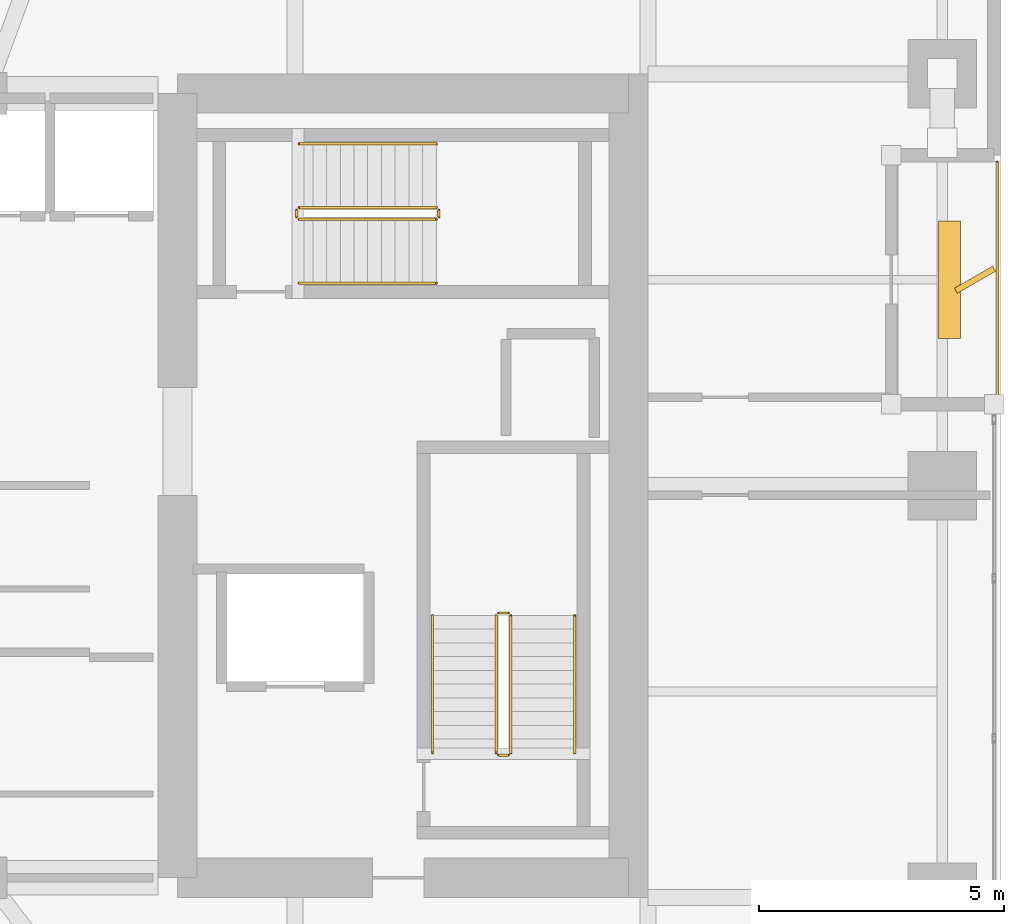
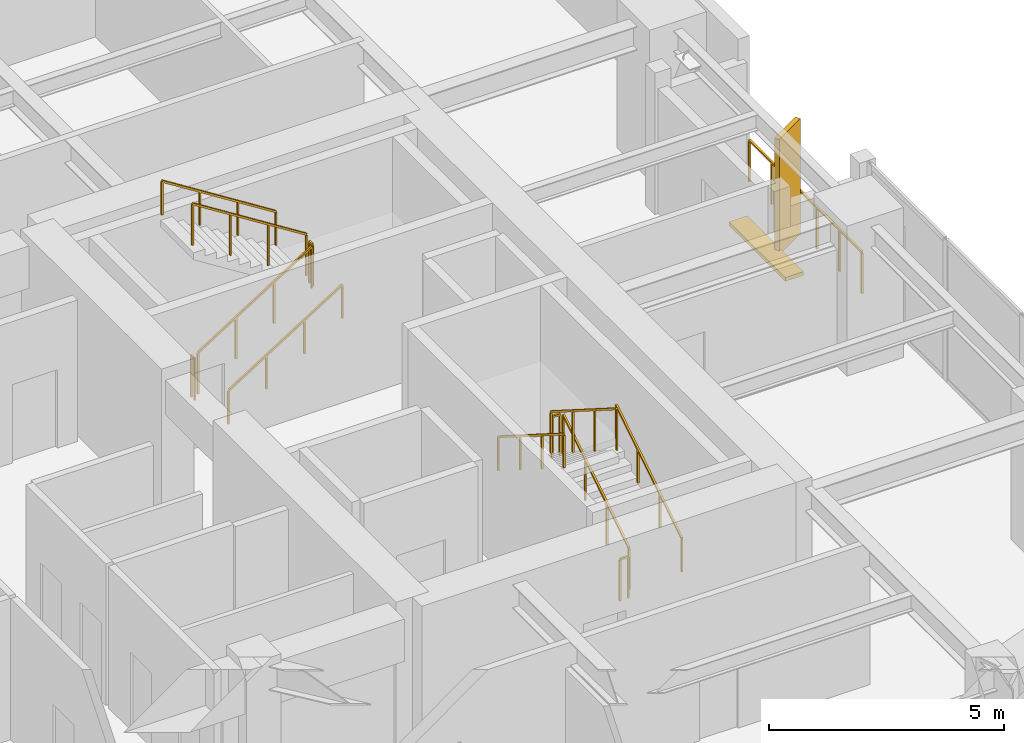
# One storey, part 30 of 31: 13 railings, 2 shading devices.
"""IFC4 building model written with IfcOpenShell, lengths in metres."""

from ifc_helpers import new_model, si_unit, direction, frame, origin, origin_2d, place, context, subcontext, project, spatial, rectangle, extrude, material, type_object, element, save


model = new_model("IFC4")

# Units and contexts
model_context = context("Model", 3, precision=1e-05, world=origin(), true_north=direction((0.0, 1.0)))
body_context = subcontext(model_context, "Body", "Model", "MODEL_VIEW")
ifc_project = project(units=[si_unit("LENGTHUNIT", "METRE"), si_unit("AREAUNIT", "SQUARE_METRE"), si_unit("VOLUMEUNIT", "CUBIC_METRE"), si_unit("PLANEANGLEUNIT", "RADIAN"), si_unit("MASSUNIT", "GRAM", prefix="KILO")], contexts=[model_context])

# Site, building, storey
site_placement = place(None, origin())
site = spatial("IfcSite", under=ifc_project, at=site_placement, CompositionType="ELEMENT")
building_placement = place(site_placement, origin())
building = spatial("IfcBuilding", under=site, at=building_placement, Name="Kiyonajd Concourse Tower", CompositionType="ELEMENT")
storey_placement = place(building_placement, frame((0.0, 0.0, 158.39990234375)))
storey = spatial("IfcBuildingStorey", under=building, at=storey_placement, Name="L40", CompositionType="ELEMENT", Elevation=158.39990234375)

# Railings
ifc_material_1 = material(Name="Thermally Broken Anodised Aluminium", Category="aluminium")
railing_type_1 = type_object("IfcRailingType", Name="RL-GRD-LOG", PredefinedType="GUARDRAIL", material=ifc_material_1)
railing_1_placement = place(storey_placement, frame((70.719970703125, 37.800048828125, 0.0)))
element("IfcRailing", 1, at=railing_1_placement, inside=storey, type_object=railing_type_1, Name="L40 Engawa Loggia Perimeter Guard LOG-E", PredefinedType="GUARDRAIL", context=body_context, shape_type="SweptSolid", body=[
    extrude(rectangle(XDim=0.048095703125, YDim=0.048095703125, at=origin_2d()), frame((0.0, 0.0, 1.076171875), z_axis=(0.0, 1.0, 0.0), x_axis=(-1.0, 0.0, 0.0)), (0.0, 0.0, 1.0), 4.800048828125),
    extrude(rectangle(XDim=0.0419921875, YDim=0.0419921875, at=origin_2d()), origin(), (0.0, 0.0, 1.0), 1.052001953125),
    extrude(rectangle(XDim=0.0419921875, YDim=0.0419921875, at=origin_2d()), frame((0.0, 0.9599609375, 0.0)), (0.0, 0.0, 1.0), 1.052001953125),
    extrude(rectangle(XDim=0.0419921875, YDim=0.0419921875, at=origin_2d()), frame((0.0, 1.919921875, 0.0)), (0.0, 0.0, 1.0), 1.052001953125),
    extrude(rectangle(XDim=0.0419921875, YDim=0.0419921875, at=origin_2d()), frame((0.0, 2.880126953125, 0.0)), (0.0, 0.0, 1.0), 1.052001953125),
    extrude(rectangle(XDim=0.0419921875, YDim=0.0419921875, at=origin_2d()), frame((0.0, 3.840087890625, 0.0)), (0.0, 0.0, 1.0), 1.052001953125),
    extrude(rectangle(XDim=0.0419921875, YDim=0.0419921875, at=origin_2d()), frame((0.0, 4.800048828125, 0.0)), (0.0, 0.0, 1.0), 1.052001953125),
])
ifc_material_2 = material(Name="Steel ASTM A500 Grade C", Category="steel")
railing_type_2 = type_object("IfcRailingType", Name="RL-GRD-STR", PredefinedType="GUARDRAIL", material=ifc_material_2)
railing_2_placement = place(storey_placement, frame((60.800048828125, 30.550048828125, 0.177490234375)))
element("IfcRailing", 2, at=railing_2_placement, inside=storey, type_object=railing_type_2, Name="L40 ST2 stair guard 1", PredefinedType="GUARDRAIL", context=body_context, shape_type="SweptSolid", body=[
    extrude(rectangle(XDim=0.048095703125, YDim=0.048095703125, at=origin_2d()), frame((0.0, 0.0, 1.076171875), z_axis=(0.0, 0.844908973607, 0.534910110503), x_axis=(-1.0, 0.0, 0.0)), (0.0, 0.0, 1.0), 3.31396484375),
    extrude(rectangle(XDim=0.0419921875, YDim=0.0419921875, at=origin_2d()), origin(), (0.0, 0.0, 1.0), 1.052001953125),
    extrude(rectangle(XDim=0.0419921875, YDim=0.0419921875, at=origin_2d()), frame((0.0, 0.933349609375, 0.5908203125)), (0.0, 0.0, 1.0), 1.052001953125),
    extrude(rectangle(XDim=0.0419921875, YDim=0.0419921875, at=origin_2d()), frame((0.0, 1.86669921875, 1.181884765625)), (0.0, 0.0, 1.0), 1.052001953125),
    extrude(rectangle(XDim=0.0419921875, YDim=0.0419921875, at=origin_2d()), frame((0.0, 2.800048828125, 1.772705078125)), (0.0, 0.0, 1.0), 1.052001953125),
])
railing_3_placement = place(storey_placement, frame((60.75, 33.39990234375, 1.9501953125)))
element("IfcRailing", 3, at=railing_3_placement, inside=storey, type_object=railing_type_2, Name="L40 ST2 stair guard 2", PredefinedType="GUARDRAIL", context=body_context, shape_type="SweptSolid", body=[
    extrude(rectangle(XDim=0.048095703125, YDim=0.048095703125, at=origin_2d()), frame((0.0, 0.0, 1.076171875), z_axis=(-1.0, 0.0, 0.0), x_axis=(0.0, -1.0, 0.0)), (0.0, 0.0, 1.0), 0.199951171875),
    extrude(rectangle(XDim=0.0419921875, YDim=0.0419921875, at=origin_2d()), origin(), (0.0, 0.0, 1.0), 1.052001953125),
    extrude(rectangle(XDim=0.0419921875, YDim=0.0419921875, at=origin_2d()), frame((-0.199951171875, 0.0, 0.0)), (0.0, 0.0, 1.0), 1.052001953125),
])
railing_4_placement = place(storey_placement, frame((60.5, 33.35009765625, 2.12744140625)))
element("IfcRailing", 4, at=railing_4_placement, inside=storey, type_object=railing_type_2, Name="L40 ST2 stair guard 3", PredefinedType="GUARDRAIL", context=body_context, shape_type="SweptSolid", body=[
    extrude(rectangle(XDim=0.048095703125, YDim=0.048095703125, at=origin_2d()), frame((0.0, 0.0, 1.076171875), z_axis=(0.0, -0.844908973607, 0.534910110503), x_axis=(1.0, 0.0, 0.0)), (0.0, 0.0, 1.0), 3.31396484375),
    extrude(rectangle(XDim=0.0419921875, YDim=0.0419921875, at=origin_2d()), origin(), (0.0, 0.0, 1.0), 1.052001953125),
    extrude(rectangle(XDim=0.0419921875, YDim=0.0419921875, at=origin_2d()), frame((0.0, -0.933349609375, 0.5908203125)), (0.0, 0.0, 1.0), 1.052001953125),
    extrude(rectangle(XDim=0.0419921875, YDim=0.0419921875, at=origin_2d()), frame((0.0, -1.86669921875, 1.181884765625)), (0.0, 0.0, 1.0), 1.052001953125),
    extrude(rectangle(XDim=0.0419921875, YDim=0.0419921875, at=origin_2d()), frame((0.0, -2.800048828125, 1.772705078125)), (0.0, 0.0, 1.0), 1.052001953125),
])
railing_5_placement = place(storey_placement, frame((60.75, 30.5, 0.0)))
element("IfcRailing", 5, at=railing_5_placement, inside=storey, type_object=railing_type_2, Name="L40 ST2 stair guard 4", PredefinedType="GUARDRAIL", context=body_context, shape_type="SweptSolid", body=[
    extrude(rectangle(XDim=0.048095703125, YDim=0.048095703125, at=origin_2d()), frame((0.0, 0.0, 1.076171875), z_axis=(-1.0, 0.0, 0.0), x_axis=(0.0, -1.0, 0.0)), (0.0, 0.0, 1.0), 0.199951171875),
    extrude(rectangle(XDim=0.0419921875, YDim=0.0419921875, at=origin_2d()), origin(), (0.0, 0.0, 1.0), 1.052001953125),
    extrude(rectangle(XDim=0.0419921875, YDim=0.0419921875, at=origin_2d()), frame((-0.199951171875, 0.0, 0.0)), (0.0, 0.0, 1.0), 1.052001953125),
])
railing_6_placement = place(storey_placement, frame((56.47998046875, 41.429931640625, 0.177490234375)))
element("IfcRailing", 6, at=railing_6_placement, inside=storey, type_object=railing_type_2, Name="L40 ST3 stair guard 1", PredefinedType="GUARDRAIL", context=body_context, shape_type="SweptSolid", body=[
    extrude(rectangle(XDim=0.048095703125, YDim=0.048095703125, at=origin_2d()), frame((0.0, 0.0, 1.076171875), z_axis=(0.844908973607, 0.0, 0.534910110503), x_axis=(0.0, 1.0, 0.0)), (0.0, 0.0, 1.0), 3.31396484375),
    extrude(rectangle(XDim=0.0419921875, YDim=0.0419921875, at=origin_2d()), origin(), (0.0, 0.0, 1.0), 1.052001953125),
    extrude(rectangle(XDim=0.0419921875, YDim=0.0419921875, at=origin_2d()), frame((0.933349609375, 0.0, 0.5908203125)), (0.0, 0.0, 1.0), 1.052001953125),
    extrude(rectangle(XDim=0.0419921875, YDim=0.0419921875, at=origin_2d()), frame((1.86669921875, 0.0, 1.181884765625)), (0.0, 0.0, 1.0), 1.052001953125),
    extrude(rectangle(XDim=0.0419921875, YDim=0.0419921875, at=origin_2d()), frame((2.800048828125, 0.0, 1.772705078125)), (0.0, 0.0, 1.0), 1.052001953125),
])
railing_7_placement = place(storey_placement, frame((59.330078125, 41.47998046875, 1.9501953125)))
element("IfcRailing", 7, at=railing_7_placement, inside=storey, type_object=railing_type_2, Name="L40 ST3 stair guard 2", PredefinedType="GUARDRAIL", context=body_context, shape_type="SweptSolid", body=[
    extrude(rectangle(XDim=0.048095703125, YDim=0.048095703125, at=origin_2d()), frame((0.0, 0.0, 1.076171875), z_axis=(0.0, 1.0, 0.0), x_axis=(-1.0, 0.0, 0.0)), (0.0, 0.0, 1.0), 0.14013671875),
    extrude(rectangle(XDim=0.0419921875, YDim=0.0419921875, at=origin_2d()), origin(), (0.0, 0.0, 1.0), 1.052001953125),
    extrude(rectangle(XDim=0.0419921875, YDim=0.0419921875, at=origin_2d()), frame((0.0, 0.14013671875, 0.0)), (0.0, 0.0, 1.0), 1.052001953125),
])
railing_8_placement = place(storey_placement, frame((59.280029296875, 41.669921875, 2.12744140625)))
element("IfcRailing", 8, at=railing_8_placement, inside=storey, type_object=railing_type_2, Name="L40 ST3 stair guard 3", PredefinedType="GUARDRAIL", context=body_context, shape_type="SweptSolid", body=[
    extrude(rectangle(XDim=0.048095703125, YDim=0.048095703125, at=origin_2d()), frame((0.0, 0.0, 1.076171875), z_axis=(-0.844908973607, 0.0, 0.534910110503), x_axis=(0.0, -1.0, 0.0)), (0.0, 0.0, 1.0), 3.31396484375),
    extrude(rectangle(XDim=0.0419921875, YDim=0.0419921875, at=origin_2d()), origin(), (0.0, 0.0, 1.0), 1.052001953125),
    extrude(rectangle(XDim=0.0419921875, YDim=0.0419921875, at=origin_2d()), frame((-0.933349609375, 0.0, 0.5908203125)), (0.0, 0.0, 1.0), 1.052001953125),
    extrude(rectangle(XDim=0.0419921875, YDim=0.0419921875, at=origin_2d()), frame((-1.86669921875, 0.0, 1.181884765625)), (0.0, 0.0, 1.0), 1.052001953125),
    extrude(rectangle(XDim=0.0419921875, YDim=0.0419921875, at=origin_2d()), frame((-2.800048828125, 0.0, 1.772705078125)), (0.0, 0.0, 1.0), 1.052001953125),
])
railing_9_placement = place(storey_placement, frame((56.429931640625, 41.47998046875, 0.0)))
element("IfcRailing", 9, at=railing_9_placement, inside=storey, type_object=railing_type_2, Name="L40 ST3 stair guard 4", PredefinedType="GUARDRAIL", context=body_context, shape_type="SweptSolid", body=[
    extrude(rectangle(XDim=0.048095703125, YDim=0.048095703125, at=origin_2d()), frame((0.0, 0.0, 1.076171875), z_axis=(0.0, 1.0, 0.0), x_axis=(-1.0, 0.0, 0.0)), (0.0, 0.0, 1.0), 0.14013671875),
    extrude(rectangle(XDim=0.0419921875, YDim=0.0419921875, at=origin_2d()), origin(), (0.0, 0.0, 1.0), 1.052001953125),
    extrude(rectangle(XDim=0.0419921875, YDim=0.0419921875, at=origin_2d()), frame((0.0, 0.14013671875, 0.0)), (0.0, 0.0, 1.0), 1.052001953125),
])
ifc_material_3 = material(Name="Brushed Stainless Steel Cab Assembly", Category="steel")
railing_type_3 = type_object("IfcRailingType", Name="RL-HND-900", PredefinedType="HANDRAIL", material=ifc_material_3)
railing_10_placement = place(storey_placement, frame((62.10009765625, 30.550048828125, 0.177490234375)))
element("IfcRailing", 10, at=railing_10_placement, inside=storey, type_object=railing_type_3, Name="L40 ST2 stair handrail 1", PredefinedType="HANDRAIL", context=body_context, shape_type="SweptSolid", body=[
    extrude(rectangle(XDim=0.048095703125, YDim=0.048095703125, at=origin_2d()), frame((0.0, 0.0, 0.8759765625), z_axis=(0.0, 0.844908973607, 0.534910110503), x_axis=(-1.0, 0.0, 0.0)), (0.0, 0.0, 1.0), 3.31396484375),
    extrude(rectangle(XDim=0.0419921875, YDim=0.0419921875, at=origin_2d()), origin(), (0.0, 0.0, 1.0), 0.851806640625),
    extrude(rectangle(XDim=0.0419921875, YDim=0.0419921875, at=origin_2d()), frame((0.0, 0.933349609375, 0.5908203125)), (0.0, 0.0, 1.0), 0.851806640625),
    extrude(rectangle(XDim=0.0419921875, YDim=0.0419921875, at=origin_2d()), frame((0.0, 1.86669921875, 1.181884765625)), (0.0, 0.0, 1.0), 0.851806640625),
    extrude(rectangle(XDim=0.0419921875, YDim=0.0419921875, at=origin_2d()), frame((0.0, 2.800048828125, 1.772705078125)), (0.0, 0.0, 1.0), 0.851806640625),
])
railing_11_placement = place(storey_placement, frame((59.199951171875, 33.35009765625, 2.12744140625)))
element("IfcRailing", 11, at=railing_11_placement, inside=storey, type_object=railing_type_3, Name="L40 ST2 stair handrail 2", PredefinedType="HANDRAIL", context=body_context, shape_type="SweptSolid", body=[
    extrude(rectangle(XDim=0.048095703125, YDim=0.048095703125, at=origin_2d()), frame((0.0, 0.0, 0.8759765625), z_axis=(0.0, -0.844908973607, 0.534910110503), x_axis=(1.0, 0.0, 0.0)), (0.0, 0.0, 1.0), 3.31396484375),
    extrude(rectangle(XDim=0.0419921875, YDim=0.0419921875, at=origin_2d()), origin(), (0.0, 0.0, 1.0), 0.851806640625),
    extrude(rectangle(XDim=0.0419921875, YDim=0.0419921875, at=origin_2d()), frame((0.0, -0.933349609375, 0.5908203125)), (0.0, 0.0, 1.0), 0.851806640625),
    extrude(rectangle(XDim=0.0419921875, YDim=0.0419921875, at=origin_2d()), frame((0.0, -1.86669921875, 1.181884765625)), (0.0, 0.0, 1.0), 0.851806640625),
    extrude(rectangle(XDim=0.0419921875, YDim=0.0419921875, at=origin_2d()), frame((0.0, -2.800048828125, 1.772705078125)), (0.0, 0.0, 1.0), 0.851806640625),
])
railing_12_placement = place(storey_placement, frame((56.47998046875, 40.1298828125, 0.177490234375)))
element("IfcRailing", 12, at=railing_12_placement, inside=storey, type_object=railing_type_3, Name="L40 ST3 stair handrail 1", PredefinedType="HANDRAIL", context=body_context, shape_type="SweptSolid", body=[
    extrude(rectangle(XDim=0.048095703125, YDim=0.048095703125, at=origin_2d()), frame((0.0, 0.0, 0.8759765625), z_axis=(0.844908973607, 0.0, 0.534910110503), x_axis=(0.0, 1.0, 0.0)), (0.0, 0.0, 1.0), 3.31396484375),
    extrude(rectangle(XDim=0.0419921875, YDim=0.0419921875, at=origin_2d()), origin(), (0.0, 0.0, 1.0), 0.851806640625),
    extrude(rectangle(XDim=0.0419921875, YDim=0.0419921875, at=origin_2d()), frame((0.933349609375, 0.0, 0.5908203125)), (0.0, 0.0, 1.0), 0.851806640625),
    extrude(rectangle(XDim=0.0419921875, YDim=0.0419921875, at=origin_2d()), frame((1.86669921875, 0.0, 1.181884765625)), (0.0, 0.0, 1.0), 0.851806640625),
    extrude(rectangle(XDim=0.0419921875, YDim=0.0419921875, at=origin_2d()), frame((2.800048828125, 0.0, 1.772705078125)), (0.0, 0.0, 1.0), 0.851806640625),
])
railing_13_placement = place(storey_placement, frame((59.280029296875, 42.969970703125, 2.12744140625)))
element("IfcRailing", 13, at=railing_13_placement, inside=storey, type_object=railing_type_3, Name="L40 ST3 stair handrail 2", PredefinedType="HANDRAIL", context=body_context, shape_type="SweptSolid", body=[
    extrude(rectangle(XDim=0.048095703125, YDim=0.048095703125, at=origin_2d()), frame((0.0, 0.0, 0.8759765625), z_axis=(-0.844908973607, 0.0, 0.534910110503), x_axis=(0.0, -1.0, 0.0)), (0.0, 0.0, 1.0), 3.31396484375),
    extrude(rectangle(XDim=0.0419921875, YDim=0.0419921875, at=origin_2d()), origin(), (0.0, 0.0, 1.0), 0.851806640625),
    extrude(rectangle(XDim=0.0419921875, YDim=0.0419921875, at=origin_2d()), frame((-0.933349609375, 0.0, 0.5908203125)), (0.0, 0.0, 1.0), 0.851806640625),
    extrude(rectangle(XDim=0.0419921875, YDim=0.0419921875, at=origin_2d()), frame((-1.86669921875, 0.0, 1.181884765625)), (0.0, 0.0, 1.0), 0.851806640625),
    extrude(rectangle(XDim=0.0419921875, YDim=0.0419921875, at=origin_2d()), frame((-2.800048828125, 0.0, 1.772705078125)), (0.0, 0.0, 1.0), 0.851806640625),
])

# Shading devices
ifc_material_4 = material(Name="Precast concrete C50/60", Category="concrete")
shading_device_type_1 = type_object("IfcShadingDeviceType", Name="SH-FIN-900", PredefinedType="USERDEFINED", material=ifc_material_4)
shading_device_1_placement = place(storey_placement, frame((70.27001953125, 40.199951171875, 0.0), z_axis=(0.0, 0.0, 1.0), x_axis=(0.866025403784, 0.5, 0.0)))
element("IfcShadingDevice", 14, at=shading_device_1_placement, inside=storey, type_object=shading_device_type_1, Name="L40 Angled Koshi Solar Fin LOG-E", ObjectType="FIN", PredefinedType="USERDEFINED", context=body_context, shape_type="SweptSolid", body=[
    extrude(rectangle(XDim=0.89990234375, YDim=0.1201171875, at=origin_2d()), origin(), (0.0, 0.0, 1.0), 3.0),
])
shading_device_type_2 = type_object("IfcShadingDeviceType", Name="SH-LVR-600", PredefinedType="JALOUSIE", material=ifc_material_1)
shading_device_2_placement = place(storey_placement, frame((69.75, 40.199951171875, 0.0), z_axis=(0.0, 0.0, 1.0), x_axis=(0.0, 1.0, 0.0)))
element("IfcShadingDevice", 15, at=shading_device_2_placement, inside=storey, type_object=shading_device_type_2, Name="L40 Loggia Threshold Louver LOG-E", PredefinedType="JALOUSIE", context=body_context, shape_type="SweptSolid", body=[
    extrude(rectangle(XDim=2.39990234375, YDim=0.449951171875, at=origin_2d()), origin(), (0.0, 0.0, 1.0), 0.10009765625),
])

save(model, "model.ifc")
